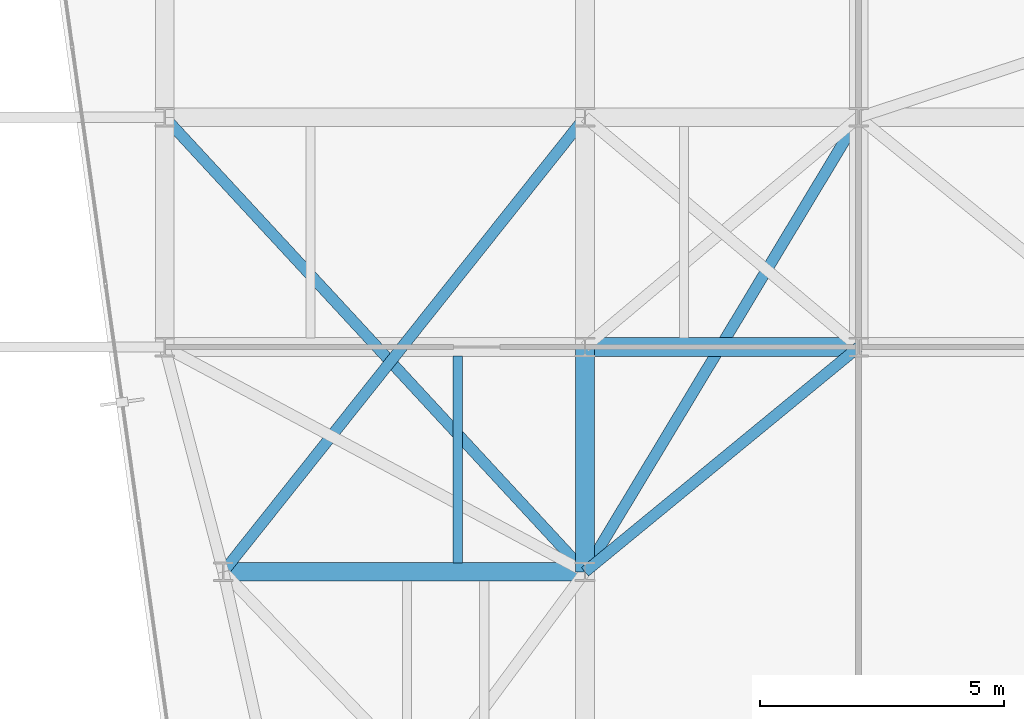
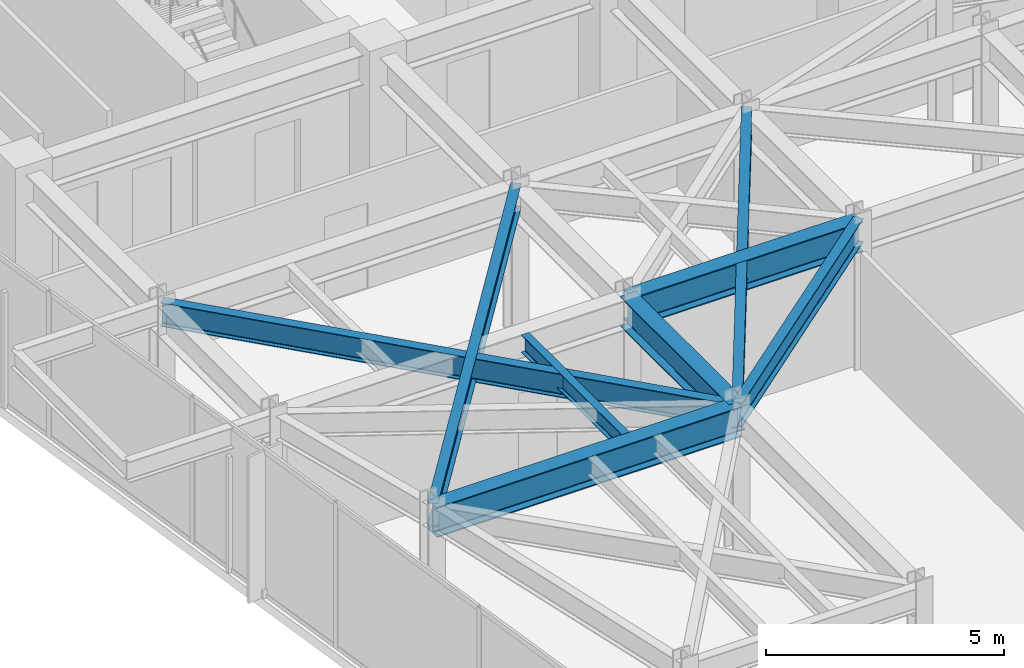
# One storey, part 5 of 26: 8 beams.
"""IFC4 building model written with IfcOpenShell, lengths in metres."""

from ifc_helpers import new_model, si_unit, direction, frame, origin, origin_2d, place, context, subcontext, project, spatial, i_section, extrude, material, material_profile, profile_set, type_object, element, save


model = new_model("IFC4")

# Units and contexts
model_context = context("Model", 3, precision=1e-05, world=origin(), true_north=direction((0.0, 1.0)))
body_context = subcontext(model_context, "Body", "Model", "MODEL_VIEW")
ifc_project = project(units=[si_unit("LENGTHUNIT", "METRE"), si_unit("AREAUNIT", "SQUARE_METRE"), si_unit("VOLUMEUNIT", "CUBIC_METRE"), si_unit("PLANEANGLEUNIT", "RADIAN"), si_unit("MASSUNIT", "GRAM", prefix="KILO")], contexts=[model_context])

# Site, building, storey
site_placement = place(None, origin())
site = spatial("IfcSite", under=ifc_project, at=site_placement, CompositionType="ELEMENT")
building_placement = place(site_placement, origin())
building = spatial("IfcBuilding", under=site, at=building_placement, Name="Kravanh Interchange Tower", CompositionType="ELEMENT")
storey_placement = place(building_placement, frame((0.0, 0.0, 204.5)))
storey = spatial("IfcBuildingStorey", under=building, at=storey_placement, Name="L49", CompositionType="ELEMENT", Elevation=204.5)

# Beams
ifc_material_1 = material(Name="Structural Steel S355", Category="steel")
ifc_material_profile_1 = material_profile(ifc_material_1, i_section(OverallWidth=0.381103515625, OverallDepth=0.77294921875, WebThickness=0.0166015625, FlangeThickness=0.027099609375, FilletRadius=0.02490234375, at=origin_2d()), Name="W30X173")
ifc_profile_set_1 = profile_set([ifc_material_profile_1], Name="Structural Steel S355")
beam_type_1 = type_object("IfcBeamType", Name="Floor Beam W30X173 Structural Steel S355", PredefinedType="BEAM", material=ifc_profile_set_1)
beam_1_placement = place(storey_placement, frame((27.199951171875, 26.800048828125, 3.368408203125), z_axis=(0.0, -1.0, 0.0), x_axis=(1.0, 0.0, 0.0)))
element("IfcBeam", 1, at=beam_1_placement, inside=storey, type_object=beam_type_1, Name="L49 Primary Floor Girder 37", PredefinedType="BEAM", context=body_context, shape_type="SweptSolid", body=[
    extrude(i_section(OverallWidth=0.381103515625, OverallDepth=0.77294921875, WebThickness=0.0166015625, FlangeThickness=0.027099609375, FilletRadius=0.02490234375, at=origin_2d()), origin(), (0.0, 0.0, 1.0), 4.60009765625),
])
beam_2_placement = place(storey_placement, frame((27.199951171875, 26.800048828125, 3.368408203125), z_axis=(1.0, 0.0, 0.0), x_axis=(0.0, 1.0, 0.0)))
element("IfcBeam", 2, at=beam_2_placement, inside=storey, type_object=beam_type_1, Name="L49 Primary Floor Girder 39", PredefinedType="BEAM", context=body_context, shape_type="SweptSolid", body=[
    extrude(i_section(OverallWidth=0.381103515625, OverallDepth=0.77294921875, WebThickness=0.0166015625, FlangeThickness=0.027099609375, FilletRadius=0.02490234375, at=origin_2d()), origin(), (0.0, 0.0, 1.0), 5.60009765625),
])
beam_3_placement = place(storey_placement, frame((19.800048828125, 22.199951171875, 3.368408203125), z_axis=(1.0, 0.0, 0.0), x_axis=(0.0, 1.0, 0.0)))
element("IfcBeam", 3, at=beam_3_placement, inside=storey, type_object=beam_type_1, Name="L49 Primary Floor Girder 91", PredefinedType="BEAM", context=body_context, shape_type="SweptSolid", body=[
    extrude(i_section(OverallWidth=0.381103515625, OverallDepth=0.77294921875, WebThickness=0.0166015625, FlangeThickness=0.027099609375, FilletRadius=0.02490234375, at=origin_2d()), origin(), (0.0, 0.0, 1.0), 7.39990234375),
])
ifc_material_2 = material(Name="Structural Steel S355", Category="steel")
ifc_material_profile_2 = material_profile(ifc_material_2, i_section(OverallWidth=0.18994140625, OverallDepth=0.45703125, WebThickness=0.009033203125, FlangeThickness=0.014404296875, FilletRadius=0.01806640625, at=origin_2d()), Name="W18X50")
ifc_profile_set_2 = profile_set([ifc_material_profile_2], Name="Structural Steel S355")
beam_type_2 = type_object("IfcBeamType", Name="Floor Joist W18X50 Structural Steel S355", PredefinedType="JOIST", material=ifc_profile_set_2)
beam_4_placement = place(storey_placement, frame((24.597900390625, 22.385498046875, 3.526611328125), z_axis=(0.0, 1.0, 0.0), x_axis=(-1.0, 0.0, 0.0)))
element("IfcBeam", 4, at=beam_4_placement, inside=storey, type_object=beam_type_2, Name="L49 Secondary Floor Joist 6", PredefinedType="JOIST", context=body_context, shape_type="SweptSolid", body=[
    extrude(i_section(OverallWidth=0.18994140625, OverallDepth=0.45703125, WebThickness=0.009033203125, FlangeThickness=0.014404296875, FilletRadius=0.01806640625, at=origin_2d()), origin(), (0.0, 0.0, 1.0), 4.22900390625),
])
ifc_material_3 = material(Name="Structural Steel S355", Category="steel")
ifc_material_profile_3 = material_profile(ifc_material_3, i_section(OverallWidth=0.22802734375, OverallDepth=0.60791015625, WebThickness=0.01123046875, FlangeThickness=0.017333984375, FilletRadius=0.02197265625, at=origin_2d()), Name="W24X76")
ifc_profile_set_3 = profile_set([ifc_material_profile_3], Name="Structural Steel S355")
beam_type_3 = type_object("IfcBeamType", Name="Floor Spandrel W24X76 Structural Steel S355", PredefinedType="SPANDREL", material=ifc_profile_set_3)
beam_5_placement = place(storey_placement, frame((32.800048828125, 26.800048828125, 3.450927734375), z_axis=(-0.772725074305, -0.634740860147, 0.0), x_axis=(0.634740860147, -0.772725074305, 0.0)))
element("IfcBeam", 5, at=beam_5_placement, inside=storey, type_object=beam_type_3, Name="L49 Perimeter Spandrel 43", PredefinedType="SPANDREL", context=body_context, shape_type="SweptSolid", body=[
    extrude(i_section(OverallWidth=0.22802734375, OverallDepth=0.60791015625, WebThickness=0.01123046875, FlangeThickness=0.017333984375, FilletRadius=0.02197265625, at=origin_2d()), origin(), (0.0, 0.0, 1.0), 7.247314453125),
])
beam_6_placement = place(storey_placement, frame((18.60009765625, 31.5, 3.450927734375), z_axis=(0.678927458783, -0.734205356634, 0.0), x_axis=(0.734205356634, 0.678927458783, 0.0)))
element("IfcBeam", 6, at=beam_6_placement, inside=storey, type_object=beam_type_3, Name="L49 Perimeter Spandrel 63", PredefinedType="SPANDREL", context=body_context, shape_type="SweptSolid", body=[
    extrude(i_section(OverallWidth=0.22802734375, OverallDepth=0.60791015625, WebThickness=0.01123046875, FlangeThickness=0.017333984375, FilletRadius=0.02197265625, at=origin_2d()), origin(), (0.0, 0.0, 1.0), 12.666748046875),
])
beam_7_placement = place(storey_placement, frame((27.199951171875, 31.5, 3.450927734375), z_axis=(-0.622633646541, -0.782513477324, 0.0), x_axis=(0.782513477324, -0.622633646541, 0.0)))
element("IfcBeam", 7, at=beam_7_placement, inside=storey, type_object=beam_type_3, Name="L49 Perimeter Spandrel 66", PredefinedType="SPANDREL", context=body_context, shape_type="SweptSolid", body=[
    extrude(i_section(OverallWidth=0.22802734375, OverallDepth=0.60791015625, WebThickness=0.01123046875, FlangeThickness=0.017333984375, FilletRadius=0.02197265625, at=origin_2d()), origin(), (0.0, 0.0, 1.0), 11.884765625),
])
beam_8_placement = place(storey_placement, frame((32.800048828125, 31.5, 3.450927734375), z_axis=(-0.515854375109, -0.856676288735, 0.0), x_axis=(0.856676288735, -0.515854375109, 0.0)))
element("IfcBeam", 8, at=beam_8_placement, inside=storey, type_object=beam_type_3, Name="L49 Perimeter Spandrel 69", PredefinedType="SPANDREL", context=body_context, shape_type="SweptSolid", body=[
    extrude(i_section(OverallWidth=0.22802734375, OverallDepth=0.60791015625, WebThickness=0.01123046875, FlangeThickness=0.017333984375, FilletRadius=0.02197265625, at=origin_2d()), origin(), (0.0, 0.0, 1.0), 10.85595703125),
])

save(model, "model.ifc")
